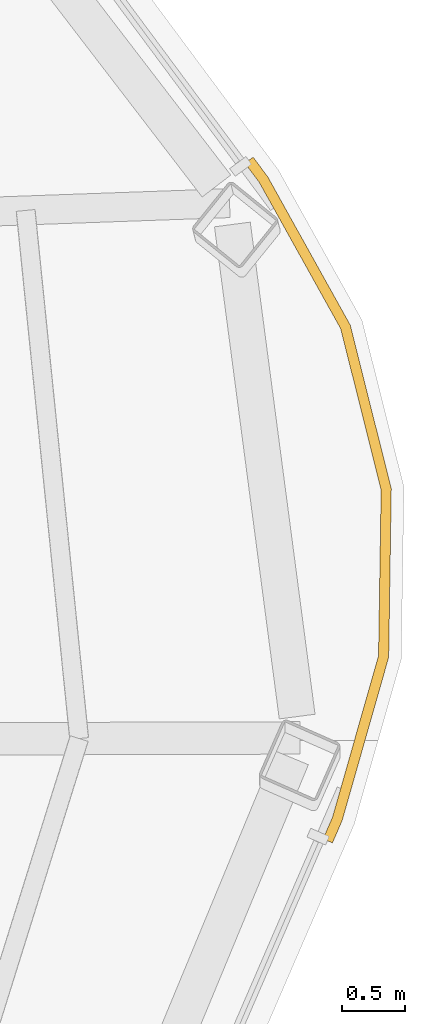
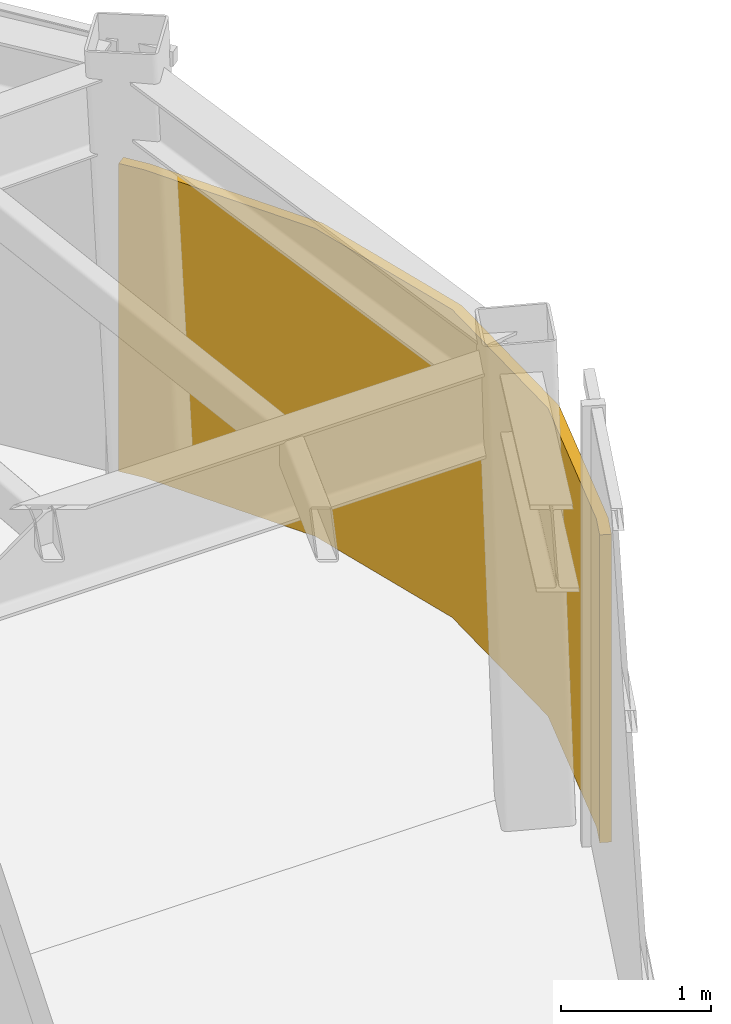
# One storey, part 11 of 11: 1 covering.
"""IFC4 building model written with IfcOpenShell, lengths in metres."""

from ifc_helpers import new_model, si_unit, direction, frame, origin, place, context, subcontext, project, spatial, polyline, outline, extrude, material, layer, layer_set, type_object, element, save


model = new_model("IFC4")

# Units and contexts
model_context = context("Model", 3, precision=1e-05, world=origin(), true_north=direction((0.0, 1.0)))
body_context = subcontext(model_context, "Body", "Model", "MODEL_VIEW")
ifc_project = project(units=[si_unit("LENGTHUNIT", "METRE"), si_unit("AREAUNIT", "SQUARE_METRE"), si_unit("VOLUMEUNIT", "CUBIC_METRE"), si_unit("PLANEANGLEUNIT", "RADIAN"), si_unit("MASSUNIT", "GRAM", prefix="KILO")], contexts=[model_context])

# Site, building, storey
site_placement = place(None, origin())
site = spatial("IfcSite", under=ifc_project, at=site_placement, CompositionType="ELEMENT")
building_placement = place(site_placement, origin())
building = spatial("IfcBuilding", under=site, at=building_placement, Name="Valkerne Bourse Tower", CompositionType="ELEMENT")
storey_placement = place(building_placement, frame((0.0, 0.0, 311.60009765625)))
storey = spatial("IfcBuildingStorey", under=building, at=storey_placement, Name="L79", CompositionType="ELEMENT", Elevation=311.60009765625)

# Covering
ifc_material = material(Name="Bronze Anodised Aluminium AA 6063-T6", Category="aluminium")
ifc_layer = layer(ifc_material, 0.06005859375)
ifc_layer_set = layer_set([ifc_layer], Name="Bronze Anodised Aluminium AA 6063-T6")
covering_type = type_object("IfcCoveringType", Name="COV-CRN-ALUM", PredefinedType="CLADDING", material=ifc_layer_set)
covering_placement = place(storey_placement, origin())
element("IfcCovering", 1, at=covering_placement, inside=storey, type_object=covering_type, Name="L79 Wind-Shaped Corner Aluminium Cladding 01", PredefinedType="CLADDING", context=body_context, shape_type="SweptSolid", body=[
    extrude(outline(polyline([(63.65576171875, 30.27880859375), (63.97998046875, 28.98779296875), (63.959228515625, 27.65673828125), (63.5927734375, 26.370361328125), (63.515869140625, 26.19287109375), (63.4423828125, 26.224609375), (63.51708984375, 26.397216796875), (63.87939453125, 27.668701171875), (63.89990234375, 28.978515625), (63.580810546875, 30.249267578125), (62.93798828125, 31.404296875), (62.82568359375, 31.55517578125), (62.889892578125, 31.602783203125), (63.005126953125, 31.44775390625), (63.65576171875, 30.27880859375)])), origin(), (0.0, 0.0, 1.0), 2.5),
])

save(model, "model.ifc")
